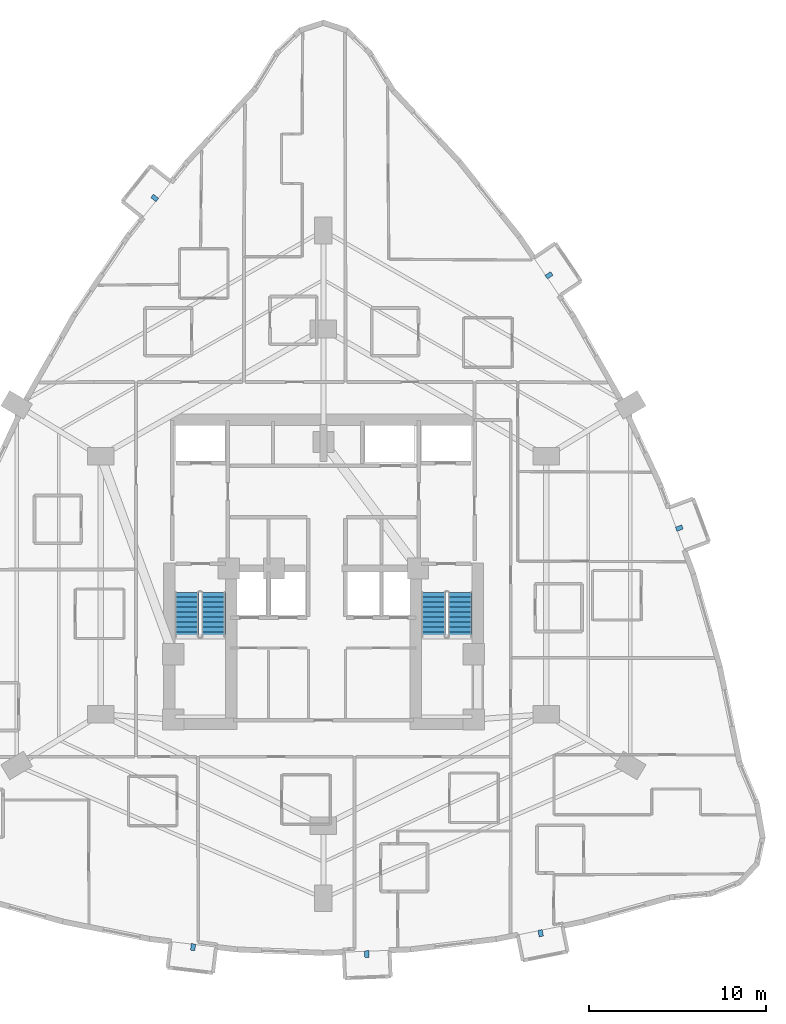
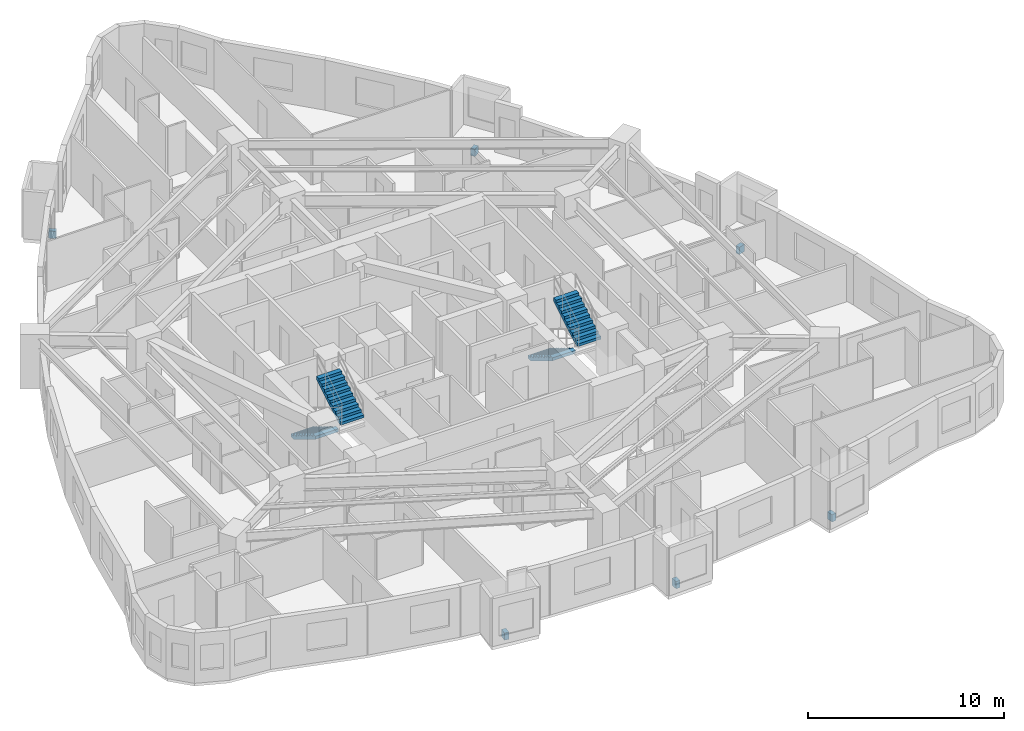
# One storey, part 15 of 16: 6 discrete accessories, 4 stair flights, 2 elements without a shape of their own.
"""IFC4 building model written with IfcOpenShell, lengths in metres."""

from ifc_helpers import new_model, si_unit, direction, frame, origin, origin_2d, place, context, subcontext, project, spatial, polyline, rectangle, outline, extrude, material, type_object, element, aggregate, save


model = new_model("IFC4")

# Units and contexts
model_context = context("Model", 3, precision=1e-05, world=origin(), true_north=direction((0.0, 1.0)))
body_context = subcontext(model_context, "Body", "Model", "MODEL_VIEW")
ifc_project = project(units=[si_unit("LENGTHUNIT", "METRE"), si_unit("AREAUNIT", "SQUARE_METRE"), si_unit("VOLUMEUNIT", "CUBIC_METRE"), si_unit("PLANEANGLEUNIT", "RADIAN"), si_unit("MASSUNIT", "GRAM", prefix="KILO")], contexts=[model_context])

# Site, building, storey
site_placement = place(None, origin())
site = spatial("IfcSite", under=ifc_project, at=site_placement, CompositionType="ELEMENT")
building_placement = place(site_placement, origin())
building = spatial("IfcBuilding", under=site, at=building_placement, Name="Miruveldt Soraemaru", CompositionType="ELEMENT")
storey_placement = place(building_placement, frame((0.0, 0.0, 42.800048828125)))
storey = spatial("IfcBuildingStorey", under=building, at=storey_placement, Name="L11", CompositionType="ELEMENT", Elevation=42.800048828125)

# Stair, stair flights
ifc_material_1 = material(Name="Concrete C40/50 (40 MPa)", Category="concrete")
stair_type = type_object("IfcStairType", Name="STAIR-DL-340", PredefinedType="HALF_TURN_STAIR", material=ifc_material_1)
stair_1_placement = place(storey_placement, origin())
stair_1 = element("IfcStair", 1, at=stair_1_placement, inside=storey, type_object=stair_type, Name="L11 Protected Exit Stair ST-1", PredefinedType="HALF_TURN_STAIR")
stair_flight_type = type_object("IfcStairFlightType", Name="SFL-DL-340", PredefinedType="STRAIGHT", material=ifc_material_1)
stair_flight_1_placement = place(storey_placement, frame((36.27490234375, 42.699951171875, 0.0), z_axis=(0.0, 0.0, 1.0), x_axis=(0.0, -1.0, 0.0)))
stair_flight_1 = element("IfcStairFlight", 2, at=stair_flight_1_placement, type_object=stair_flight_type, Name="ST-1 flight 1", NumberOfRisers=10, NumberOfTreads=9, PredefinedType="STRAIGHT", RiserHeight=0.17, TreadLength=0.28, context=body_context, shape_type="SweptSolid", body=[
    extrude(outline(polyline([(0.0, 0.0), (0.0, 0.169921875), (0.280029296875, 0.169921875), (0.280029296875, 0.340087890625), (0.56005859375, 0.340087890625), (0.56005859375, 0.510009765625), (0.840087890625, 0.510009765625), (0.840087890625, 0.679931640625), (1.1201171875, 0.679931640625), (1.1201171875, 0.85009765625), (1.39990234375, 0.85009765625), (1.39990234375, 1.02001953125), (1.679931640625, 1.02001953125), (1.679931640625, 1.18994140625), (1.9599609375, 1.18994140625), (1.9599609375, 1.360107421875), (2.239990234375, 1.360107421875), (2.239990234375, 1.530029296875), (2.52001953125, 1.530029296875), (2.52001953125, 1.699951171875), (2.52001953125, 1.343017578125), (0.30810546875, 0.0), (0.0, 0.0)])), frame((0.0, 0.675048828125, 0.0), z_axis=(0.0, -1.0, 0.0), x_axis=(1.0, 0.0, 0.0)), (0.0, 0.0, 1.0), 1.35009765625),
])
stair_flight_2_placement = place(storey_placement, frame((37.77490234375, 40.179931640625, 1.699951171875), z_axis=(0.0, 0.0, 1.0), x_axis=(0.0, 1.0, 0.0)))
stair_flight_2 = element("IfcStairFlight", 3, at=stair_flight_2_placement, type_object=stair_flight_type, Name="ST-1 flight 2", NumberOfRisers=10, NumberOfTreads=9, PredefinedType="STRAIGHT", RiserHeight=0.17, TreadLength=0.28, context=body_context, shape_type="SweptSolid", body=[
    extrude(outline(polyline([(0.0, 0.0), (0.0, 0.169921875), (0.280029296875, 0.169921875), (0.280029296875, 0.340087890625), (0.56005859375, 0.340087890625), (0.56005859375, 0.510009765625), (0.840087890625, 0.510009765625), (0.840087890625, 0.679931640625), (1.1201171875, 0.679931640625), (1.1201171875, 0.85009765625), (1.39990234375, 0.85009765625), (1.39990234375, 1.02001953125), (1.679931640625, 1.02001953125), (1.679931640625, 1.18994140625), (1.9599609375, 1.18994140625), (1.9599609375, 1.360107421875), (2.239990234375, 1.360107421875), (2.239990234375, 1.530029296875), (2.52001953125, 1.530029296875), (2.52001953125, 1.699951171875), (2.52001953125, 1.343017578125), (0.30810546875, 0.0), (0.0, 0.0)])), frame((0.0, 0.675048828125, 0.0), z_axis=(0.0, -1.0, 0.0), x_axis=(1.0, 0.0, 0.0)), (0.0, 0.0, 1.0), 1.35009765625),
])
aggregate(stair_1, [stair_flight_1, stair_flight_2])

stair_2_placement = place(storey_placement, origin())
stair_2 = element("IfcStair", 4, at=stair_2_placement, inside=storey, type_object=stair_type, Name="L11 Protected Exit Stair ST-2", PredefinedType="HALF_TURN_STAIR")
stair_flight_3_placement = place(storey_placement, frame((50.22509765625, 42.699951171875, 0.0), z_axis=(0.0, 0.0, 1.0), x_axis=(0.0, -1.0, 0.0)))
stair_flight_3 = element("IfcStairFlight", 5, at=stair_flight_3_placement, type_object=stair_flight_type, Name="ST-2 flight 1", NumberOfRisers=10, NumberOfTreads=9, PredefinedType="STRAIGHT", RiserHeight=0.17, TreadLength=0.28, context=body_context, shape_type="SweptSolid", body=[
    extrude(outline(polyline([(0.0, 0.0), (0.0, 0.169921875), (0.280029296875, 0.169921875), (0.280029296875, 0.340087890625), (0.56005859375, 0.340087890625), (0.56005859375, 0.510009765625), (0.840087890625, 0.510009765625), (0.840087890625, 0.679931640625), (1.1201171875, 0.679931640625), (1.1201171875, 0.85009765625), (1.39990234375, 0.85009765625), (1.39990234375, 1.02001953125), (1.679931640625, 1.02001953125), (1.679931640625, 1.18994140625), (1.9599609375, 1.18994140625), (1.9599609375, 1.360107421875), (2.239990234375, 1.360107421875), (2.239990234375, 1.530029296875), (2.52001953125, 1.530029296875), (2.52001953125, 1.699951171875), (2.52001953125, 1.343017578125), (0.30810546875, 0.0), (0.0, 0.0)])), frame((0.0, 0.675048828125, 0.0), z_axis=(0.0, -1.0, 0.0), x_axis=(1.0, 0.0, 0.0)), (0.0, 0.0, 1.0), 1.35009765625),
])
stair_flight_4_placement = place(storey_placement, frame((51.72509765625, 40.179931640625, 1.699951171875), z_axis=(0.0, 0.0, 1.0), x_axis=(0.0, 1.0, 0.0)))
stair_flight_4 = element("IfcStairFlight", 6, at=stair_flight_4_placement, type_object=stair_flight_type, Name="ST-2 flight 2", NumberOfRisers=10, NumberOfTreads=9, PredefinedType="STRAIGHT", RiserHeight=0.17, TreadLength=0.28, context=body_context, shape_type="SweptSolid", body=[
    extrude(outline(polyline([(0.0, 0.0), (0.0, 0.169921875), (0.280029296875, 0.169921875), (0.280029296875, 0.340087890625), (0.56005859375, 0.340087890625), (0.56005859375, 0.510009765625), (0.840087890625, 0.510009765625), (0.840087890625, 0.679931640625), (1.1201171875, 0.679931640625), (1.1201171875, 0.85009765625), (1.39990234375, 0.85009765625), (1.39990234375, 1.02001953125), (1.679931640625, 1.02001953125), (1.679931640625, 1.18994140625), (1.9599609375, 1.18994140625), (1.9599609375, 1.360107421875), (2.239990234375, 1.360107421875), (2.239990234375, 1.530029296875), (2.52001953125, 1.530029296875), (2.52001953125, 1.699951171875), (2.52001953125, 1.343017578125), (0.30810546875, 0.0), (0.0, 0.0)])), frame((0.0, 0.675048828125, 0.0), z_axis=(0.0, -1.0, 0.0), x_axis=(1.0, 0.0, 0.0)), (0.0, 0.0, 1.0), 1.35009765625),
])
aggregate(stair_2, [stair_flight_3, stair_flight_4])

# Discrete accessories
ifc_material_2 = material(Name="Steel SM355 (355 MPa)", Category="steel")
discrete_accessory_type = type_object("IfcDiscreteAccessoryType", Name="ACC-BAY-BRK", PredefinedType="BRACKET", material=ifc_material_2)
for number, where, z_axis, x_axis, name in (
    (7, (36.62548828125, 22.62451171875, -0.72021484375), (0.0, 0.0, 1.0), (-0.119149147143, -0.992876367296, 0.0), "L11 Bay Window Cantilever Bracket 1"),
    (8, (46.458251953125, 22.231201171875, -0.72021484375), (0.0, 0.0, 1.0), (0.039957399602, -0.999201384215, 0.0), "L11 Bay Window Cantilever Bracket 2"),
    (9, (56.29052734375, 23.410888671875, -0.72021484375), (0.0, 0.0, 1.0), (0.196117290802, -0.980580444557, 0.0), "L11 Bay Window Cantilever Bracket 3"),
    (10, (64.135498046875, 46.329833984375, -0.72021484375), (0.0, 0.0, 1.0), (0.937117624721, 0.349013692334, 0.0), "L11 Bay Window Cantilever Bracket 4"),
    (11, (56.7626953125, 60.632568359375, -0.72021484375), (0.0, 0.0, 1.0), (0.827933108356, 0.560826861061, 0.0), "L11 Bay Window Cantilever Bracket 5"),
    (12, (34.45751953125, 65.006591796875, -0.72021484375), (0.0, 0.0, 1.0), (-0.781727315753, 0.623620400408, 0.0), "L11 Bay Window Cantilever Bracket 6"),
):
    element("IfcDiscreteAccessory", number, at=place(storey_placement, frame(where, z_axis=z_axis, x_axis=x_axis)), inside=storey, type_object=discrete_accessory_type, Name=name, PredefinedType="BRACKET", context=body_context, shape_type="SweptSolid", body=[
        extrude(rectangle(XDim=0.3798828125, YDim=0.25, at=origin_2d()), origin(), (0.0, 0.0, 1.0), 0.449951171875),
    ])

save(model, "model.ifc")
